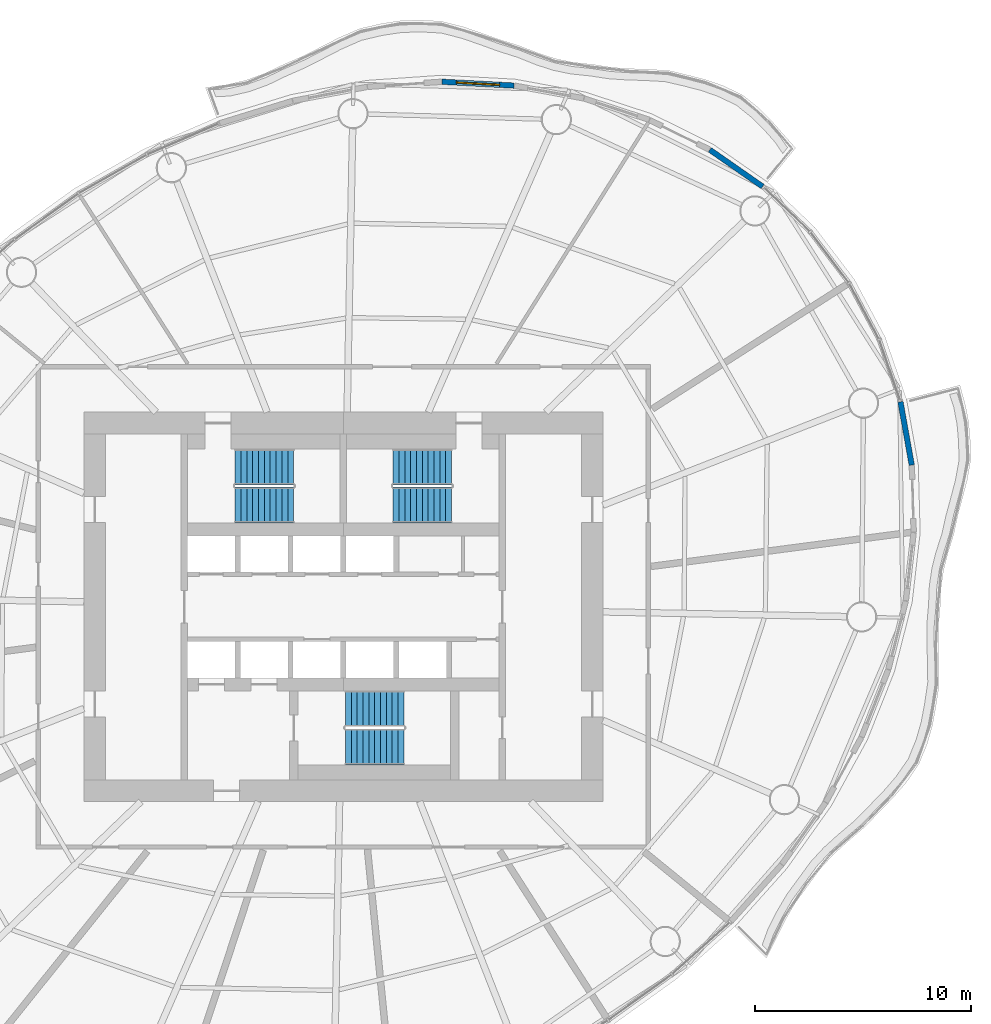
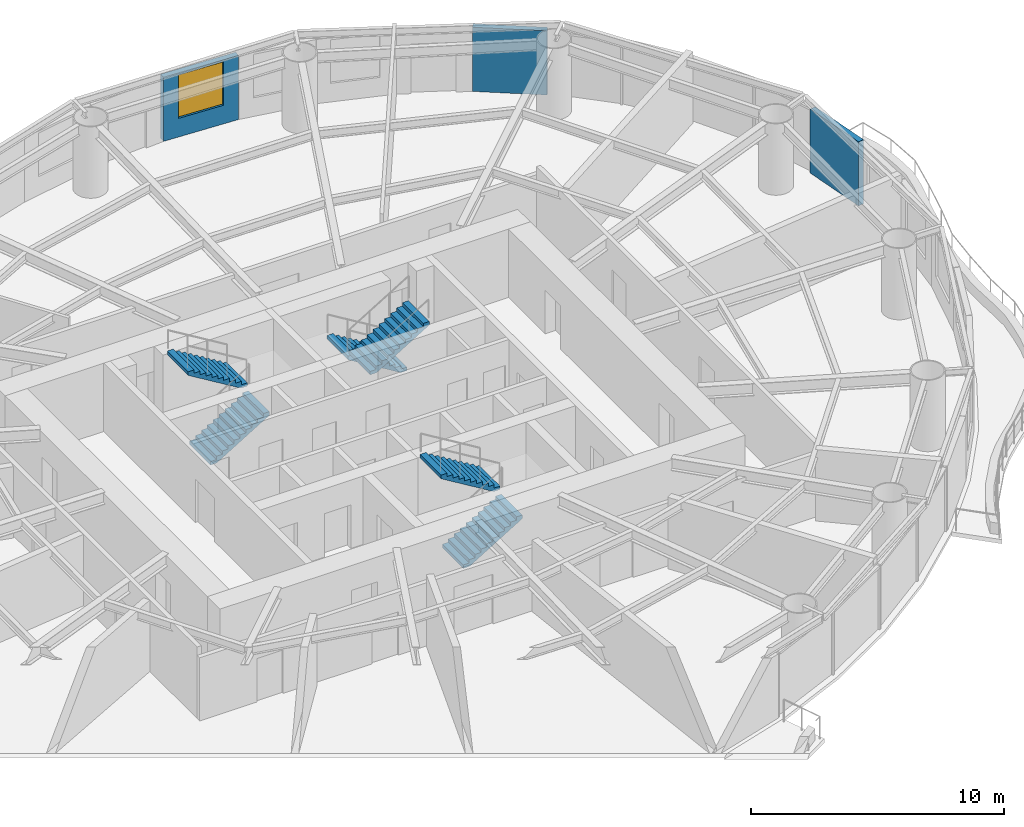
# One storey, part 11 of 14: 6 stair flights, 3 walls, 1 window, 1 opening, 3 elements without a shape of their own.
"""IFC4 building model written with IfcOpenShell, lengths in metres."""

import ifcopenshell
import ifcopenshell.guid

model = None  # the IFC model being written
_history = None  # IfcOwnerHistory: only IFC2X3 demands one
_inside = {}  # id of a spatial element -> (the spatial element, [elements in it])
_under = {}  # id of a project, library or spatial element -> (it, [spatial elements below it])
_declared = {}  # id of a project -> (the project, [libraries it declares])
_typed = {}  # id of a type object -> (the type object, [elements of that type])
_made_of = {}  # id of a material, layer set ... -> (it, [elements and type objects made of it])


def new_model(schema):
    """Start an empty IFC model of exactly this schema.

    Asked for "IFC4X3", IfcOpenShell would pick the latest addendum, in which some entities
    have other attributes; the version numbers below select the first issue.
    IFC2X3 requires an IfcOwnerHistory on every rooted entity: one is made here for all.
    """
    global model, _history
    if schema == "IFC4X3":
        model = ifcopenshell.file(schema_version=(4, 3, 0, 0))
    else:
        model = ifcopenshell.file(schema=schema)
    _inside.clear()
    _under.clear()
    _declared.clear()
    _typed.clear()
    _made_of.clear()
    _history = None
    if model.schema == "IFC2X3":
        org = make("IfcOrganization", Name="unknown")
        user = make(
            "IfcPersonAndOrganization",
            ThePerson=make("IfcPerson", FamilyName="unknown"),
            TheOrganization=org,
        )
        app = make(
            "IfcApplication",
            ApplicationDeveloper=org,
            Version="unknown",
            ApplicationFullName="unknown",
            ApplicationIdentifier="unknown",
        )
        _history = make(
            "IfcOwnerHistory",
            OwningUser=user,
            OwningApplication=app,
            ChangeAction="ADDED",
            CreationDate=0,
        )
    return model


def make(cls, **values):
    """One entity of the class cls with the attributes given. An attribute that is None is left unset."""
    return model.create_entity(
        cls, **{name: value for name, value in values.items() if value is not None}
    )


def rooted(cls, **values):
    """An entity with a GlobalId (a new one), such as an element, a storey or a relation."""
    return make(cls, GlobalId=ifcopenshell.guid.new(), OwnerHistory=_history, **values)


def si_unit(unit_type, name, prefix=None):
    """IfcSIUnit, for example si_unit("LENGTHUNIT", "METRE", prefix="MILLI")."""
    return make("IfcSIUnit", UnitType=unit_type, Prefix=prefix, Name=name)


def assignment(units):
    """IfcUnitAssignment: the units of a project."""
    return None if units is None else make("IfcUnitAssignment", Units=units)


def point(xyz):
    """IfcCartesianPoint."""
    return None if xyz is None else make("IfcCartesianPoint", Coordinates=xyz)


def direction(xyz):
    """IfcDirection."""
    return None if xyz is None else make("IfcDirection", DirectionRatios=xyz)


def frame(location, z_axis=None, x_axis=None):
    """IfcAxis2Placement3D, a coordinate frame: its origin and axes. An axis left out is left unset."""
    return make(
        "IfcAxis2Placement3D",
        Location=point(location),
        Axis=direction(z_axis),
        RefDirection=direction(x_axis),
    )


def frame_2d(location, x_axis=None):
    """IfcAxis2Placement2D, a coordinate frame in the plane: its origin and x axis."""
    return make(
        "IfcAxis2Placement2D", Location=point(location), RefDirection=direction(x_axis)
    )


def origin():
    """The frame at (0, 0, 0) with its axes left unset."""
    return frame((0.0, 0.0, 0.0))


def place(relative_to, where):
    """IfcLocalPlacement: puts the frame where relative to a parent placement (None: the world)."""
    return make(
        "IfcLocalPlacement", PlacementRelTo=relative_to, RelativePlacement=where
    )


def context(
    kind, dimensions, precision=None, world=None, true_north=None, identifier=None
):
    """IfcGeometricRepresentationContext, for example the 3D "Model" context."""
    return make(
        "IfcGeometricRepresentationContext",
        ContextIdentifier=identifier,
        ContextType=kind,
        CoordinateSpaceDimension=dimensions,
        Precision=precision,
        WorldCoordinateSystem=world,
        TrueNorth=true_north,
    )


def subcontext(parent, identifier, kind, view, scale=None):
    """IfcGeometricRepresentationSubContext, for example "Body" below "Model"."""
    return make(
        "IfcGeometricRepresentationSubContext",
        ContextIdentifier=identifier,
        ContextType=kind,
        ParentContext=parent,
        TargetScale=scale,
        TargetView=view,
    )


def project(units=None, contexts=None):
    """IfcProject with its units and contexts."""
    return rooted(
        "IfcProject",
        Name="project",
        RepresentationContexts=contexts,
        UnitsInContext=assignment(units),
    )


def spatial(cls, under=None, at=None, **own):
    """A site, building, storey or space (cls), placed at a placement, below another one or the project."""
    s = rooted(cls, ObjectPlacement=at, **own)
    if under is not None:
        _under.setdefault(under.id(), (under, []))[1].append(s)
    return s


def polyline(points):
    """IfcPolyline through the points."""
    return make("IfcPolyline", Points=[point(p) for p in points])


def profile(cls, at=None, kind="AREA", **sizes):
    """A parametric profile (cls). Its sizes go by their IFC names, for example OverallWidth=200.0."""
    return make(cls, ProfileType=kind, Position=at, **sizes)


def rectangle(**sizes):
    """IfcRectangleProfileDef."""
    return profile("IfcRectangleProfileDef", **sizes)


def outline(outer, holes=None, kind="AREA"):
    """IfcArbitraryClosedProfileDef: a profile drawn as a closed curve; with holes, ...WithVoids."""
    if holes is None:
        return make("IfcArbitraryClosedProfileDef", ProfileType=kind, OuterCurve=outer)
    return make(
        "IfcArbitraryProfileDefWithVoids",
        ProfileType=kind,
        OuterCurve=outer,
        InnerCurves=holes,
    )


def extrude(swept, where, along, depth):
    """IfcExtrudedAreaSolid: the profile swept, set in the frame where, extruded along a direction by depth."""
    return make(
        "IfcExtrudedAreaSolid",
        SweptArea=swept,
        Position=where,
        ExtrudedDirection=direction(along),
        Depth=depth,
    )


def shape(context_of_items, identifier, shape_type, items):
    """IfcShapeRepresentation: the items that make up one representation, for example the "Body"."""
    return make(
        "IfcShapeRepresentation",
        ContextOfItems=context_of_items,
        RepresentationIdentifier=identifier,
        RepresentationType=shape_type,
        Items=items,
    )


def material(Name=None, Category=None):
    """IfcMaterial."""
    return make("IfcMaterial", Name=Name, Category=Category)


def layer(
    of_material, thickness, ventilated=None, Name=None, Category=None, Priority=None
):
    """IfcMaterialLayer: one layer of a wall or slab, of a material (None: an air gap)."""
    return make(
        "IfcMaterialLayer",
        Material=of_material,
        LayerThickness=thickness,
        IsVentilated=ventilated,
        Name=Name,
        Category=Category,
        Priority=Priority,
    )


def layer_set(layers, Name=None):
    """IfcMaterialLayerSet."""
    return make("IfcMaterialLayerSet", MaterialLayers=layers, LayerSetName=Name)


def made_of(thing, what):
    """Note that an element or type object is made of a material, layer set ...; save() writes the relation."""
    if what is not None:
        _made_of.setdefault(what.id(), (what, []))[1].append(thing)
    return thing


def type_object(cls, material=None, **own):
    """A type object (cls), such as IfcWallType, which elements share."""
    return made_of(rooted(cls, **own), material)


def element(
    cls,
    number,
    at=None,
    inside=None,
    cuts=None,
    type_object=None,
    material=None,
    context=None,
    identifier="Body",
    shape_type=None,
    held_by="IfcProductDefinitionShape",
    body=None,
    shapes=None,
    **own,
):
    """One element of the class cls, such as IfcWall. Its Tag is "e" and its number.

    at: its placement. inside: the storey or other place that contains it. cuts: it is an
    opening in that element (IfcRelVoidsElement). A single representation is given by context,
    identifier, shape_type and body (its items); several are given by shapes. held_by: the class
    of the entity that holds the representations. save() writes the other relations.
    """
    e = rooted(cls, Tag="e%d" % number, ObjectPlacement=at, **own)
    if body is not None:
        shapes = [shape(context, identifier, shape_type, body)]
    if shapes is not None:
        e.Representation = make(held_by, Representations=shapes)
    if inside is not None:
        _inside.setdefault(inside.id(), (inside, []))[1].append(e)
    if cuts is not None:
        rooted(
            "IfcRelVoidsElement", RelatingBuildingElement=cuts, RelatedOpeningElement=e
        )
    if type_object is not None:
        _typed.setdefault(type_object.id(), (type_object, []))[1].append(e)
    return made_of(e, material)


def fill(opening, filler):
    """IfcRelFillsElement: the door or window that sits in an opening."""
    return rooted(
        "IfcRelFillsElement",
        RelatingOpeningElement=opening,
        RelatedBuildingElement=filler,
    )


def aggregate(whole, parts):
    """IfcRelAggregates: a whole, such as a stair, and the parts it consists of."""
    return rooted("IfcRelAggregates", RelatingObject=whole, RelatedObjects=parts)


def save(model, path):
    """Write the relations noted so far, then the file.

    IfcRelAggregates (storeys below a building ...), IfcRelContainedInSpatialStructure (elements
    in a storey), IfcRelDefinesByType, IfcRelAssociatesMaterial and IfcRelDeclares: one each for
    every whole, place, type object, material and project.
    """
    for whole, parts in _under.values():
        aggregate(whole, parts)
    for where, things in _inside.values():
        rooted(
            "IfcRelContainedInSpatialStructure",
            RelatedElements=things,
            RelatingStructure=where,
        )
    for kind, things in _typed.values():
        rooted("IfcRelDefinesByType", RelatedObjects=things, RelatingType=kind)
    for what, things in _made_of.values():
        rooted("IfcRelAssociatesMaterial", RelatedObjects=things, RelatingMaterial=what)
    for by, libraries in _declared.values():
        rooted("IfcRelDeclares", RelatingContext=by, RelatedDefinitions=libraries)
    model.write(path)


model = new_model("IFC4")

# Units and contexts
model_context = context("Model", 3, precision=1e-05, world=origin(), true_north=direction((0.0, 1.0)))
body_context = subcontext(model_context, "Body", "Model", "MODEL_VIEW")
ifc_project = project(units=[si_unit("LENGTHUNIT", "METRE"), si_unit("AREAUNIT", "SQUARE_METRE"), si_unit("VOLUMEUNIT", "CUBIC_METRE"), si_unit("PLANEANGLEUNIT", "RADIAN"), si_unit("MASSUNIT", "GRAM", prefix="KILO")], contexts=[model_context])

# Site, building, storey
site_placement = place(None, origin())
site = spatial("IfcSite", under=ifc_project, at=site_placement, CompositionType="ELEMENT")
building_placement = place(site_placement, origin())
building = spatial("IfcBuilding", under=site, at=building_placement, Name="Vermilion Reach Broadcast Tower", CompositionType="ELEMENT")
storey_placement = place(building_placement, frame((0.0, 0.0, 165.0)))
storey = spatial("IfcBuildingStorey", under=building, at=storey_placement, Name="L39", CompositionType="ELEMENT", Elevation=165.0)

# Wall
ifc_material_1 = material(Name="Terracotta rainscreen cladding", Category="masonry")
ifc_layer = layer(ifc_material_1, 0.25)
ifc_layer_set = layer_set([ifc_layer], Name="Terracotta rainscreen wall 250")
wall_type = type_object("IfcWallType", Name="Terracotta rainscreen wall 250", PredefinedType="SOLIDWALL", material=ifc_layer_set)
wall_1_placement = place(storey_placement, frame((13.378173828125, 19.4287109375, 0.0), z_axis=(0.0, 0.0, 1.0), x_axis=(-0.820566469183, 0.571551108521, 0.0)))
element("IfcWall", 1, at=wall_1_placement, inside=storey, type_object=wall_type, Name="External wall L39 02", PredefinedType="SOLIDWALL", context=body_context, shape_type="SweptSolid", body=[
    extrude(rectangle(XDim=2.96875, YDim=0.25, at=frame_2d((1.484375, 0.0))), origin(), (0.0, 0.0, 1.0), 3.10009765625),
])

# Wall, opening, window
wall_2_placement = place(storey_placement, frame((1.891357421875, 24.094970703125, 0.0), z_axis=(0.0, 0.0, 1.0), x_axis=(-0.998572595535, 0.053411341936, 0.0)))
wall_2 = element("IfcWall", 2, at=wall_2_placement, inside=storey, type_object=wall_type, Name="External wall L39 06", PredefinedType="SOLIDWALL", context=body_context, shape_type="SweptSolid", body=[
    extrude(rectangle(XDim=3.3369140625, YDim=0.25, at=frame_2d((1.66845703125, 0.0))), origin(), (0.0, 0.0, 1.0), 3.10009765625),
])
opening_placement = place(wall_2_placement, frame((0.66845703125, 0.0, 0.89990234375)))
opening = element("IfcOpeningElement", 3, at=opening_placement, cuts=wall_2, Name="Opening W03", PredefinedType="OPENING", context=body_context, shape_type="SweptSolid", body=[
    extrude(rectangle(XDim=2.0, YDim=2.10009765625, at=frame_2d((1.0, 1.050048828125))), frame((0.0, 0.135009765625, 0.0), z_axis=(0.0, -1.0, 0.0), x_axis=(1.0, 0.0, 0.0)), (0.0, 0.0, 1.0), 0.27001953125),
])
ifc_material_2 = material(Name="Low-e laminated clear glass in aluminium frame", Category="aluminium")
window_type = type_object("IfcWindowType", Name="Punched window 2000 x 2100 sill 900", PartitioningType="SINGLE_PANEL", PredefinedType="WINDOW", material=ifc_material_2)
window_placement = place(opening_placement, origin())
window = element("IfcWindow", 4, at=window_placement, inside=storey, type_object=window_type, Name="Window L39 06", OverallHeight=2.10009765625, OverallWidth=2.0, PartitioningType="SINGLE_PANEL", PredefinedType="WINDOW", context=body_context, shape_type="SweptSolid", body=[
    extrude(rectangle(XDim=2.0, YDim=2.10009765625, at=frame_2d((1.0, 1.050048828125))), frame((0.0, 0.030029296875, 0.0), z_axis=(0.0, -1.0, 0.0), x_axis=(1.0, 0.0, 0.0)), (0.0, 0.0, 1.0), 0.06005859375),
])
fill(opening, window)

# Wall
wall_3_placement = place(storey_placement, frame((20.274658203125, 6.55517578125, 0.0), z_axis=(0.0, 0.0, 1.0), x_axis=(-0.176055314448, 0.984380275226, 0.0)))
element("IfcWall", 5, at=wall_3_placement, inside=storey, type_object=wall_type, Name="External wall L39 45", PredefinedType="SOLIDWALL", context=body_context, shape_type="SweptSolid", body=[
    extrude(rectangle(XDim=2.968994140625, YDim=0.25, at=frame_2d((1.484375, 0.0))), origin(), (0.0, 0.0, 1.0), 3.10009765625),
])

# Stair, stair flights
ifc_material_3 = material(Name="Concrete C40", Category="concrete")
stair_type = type_object("IfcStairType", Name="Exit stair RC 22 risers 164 mm", PredefinedType="HALF_TURN_STAIR", material=ifc_material_3)
placement = place(storey_placement, origin())
stair_1 = element("IfcStair", 6, at=placement, inside=storey, type_object=stair_type, Name="L39 Exit stair ST1", PredefinedType="HALF_TURN_STAIR")
ifc_material_4 = material(Name="Concrete C40", Category="concrete")
stair_flight_type = type_object("IfcStairFlightType", Name="Exit stair flight RC 11 risers", PredefinedType="STRAIGHT", material=ifc_material_4)
stair_flight_1_placement = place(storey_placement, frame((-11.0, 4.7099609375, 0.0), z_axis=(0.0, 0.0, 1.0), x_axis=(1.0, 0.0, 0.0)))
stair_flight_1 = element("IfcStairFlight", 7, at=stair_flight_1_placement, type_object=stair_flight_type, Name="ST1 flight 1", NumberOfRisers=11, NumberOfTreads=10, PredefinedType="STRAIGHT", RiserHeight=0.163636364, TreadLength=0.27, context=body_context, shape_type="SweptSolid", body=[
    extrude(outline(polyline([(0.0, 0.0), (0.0, 0.16357421875), (0.27001953125, 0.16357421875), (0.27001953125, 0.327392578125), (0.5400390625, 0.327392578125), (0.5400390625, 0.490966796875), (0.81005859375, 0.490966796875), (0.81005859375, 0.654541015625), (1.080078125, 0.654541015625), (1.080078125, 0.818115234375), (1.35009765625, 0.818115234375), (1.35009765625, 0.98193359375), (1.6201171875, 0.98193359375), (1.6201171875, 1.1455078125), (1.889892578125, 1.1455078125), (1.889892578125, 1.30908203125), (2.159912109375, 1.30908203125), (2.159912109375, 1.47265625), (2.429931640625, 1.47265625), (2.429931640625, 1.636474609375), (2.699951171875, 1.636474609375), (2.699951171875, 1.800048828125), (2.699951171875, 1.461181640625), (0.289306640625, 0.0), (0.0, 0.0)])), frame((0.0, 0.830078125, 0.0), z_axis=(0.0, -1.0, 0.0), x_axis=(1.0, 0.0, 0.0)), (0.0, 0.0, 1.0), 1.659912109375),
])
stair_flight_2_placement = place(storey_placement, frame((-8.300048828125, 6.469970703125, 1.800048828125), z_axis=(0.0, 0.0, 1.0), x_axis=(-1.0, 0.0, 0.0)))
stair_flight_2 = element("IfcStairFlight", 8, at=stair_flight_2_placement, type_object=stair_flight_type, Name="ST1 flight 2", NumberOfRisers=11, NumberOfTreads=10, PredefinedType="STRAIGHT", RiserHeight=0.163636364, TreadLength=0.27, context=body_context, shape_type="SweptSolid", body=[
    extrude(outline(polyline([(0.0, 0.0), (0.0, 0.16357421875), (0.27001953125, 0.16357421875), (0.27001953125, 0.327392578125), (0.5400390625, 0.327392578125), (0.5400390625, 0.490966796875), (0.81005859375, 0.490966796875), (0.81005859375, 0.654541015625), (1.080078125, 0.654541015625), (1.080078125, 0.818115234375), (1.35009765625, 0.818115234375), (1.35009765625, 0.98193359375), (1.6201171875, 0.98193359375), (1.6201171875, 1.1455078125), (1.889892578125, 1.1455078125), (1.889892578125, 1.30908203125), (2.159912109375, 1.30908203125), (2.159912109375, 1.47265625), (2.429931640625, 1.47265625), (2.429931640625, 1.636474609375), (2.699951171875, 1.636474609375), (2.699951171875, 1.800048828125), (2.699951171875, 1.461181640625), (0.289306640625, 0.0), (0.0, 0.0)])), frame((0.0, 0.830078125, 0.0), z_axis=(0.0, -1.0, 0.0), x_axis=(1.0, 0.0, 0.0)), (0.0, 0.0, 1.0), 1.659912109375),
])
aggregate(stair_1, [stair_flight_1, stair_flight_2])

stair_2 = element("IfcStair", 9, at=placement, inside=storey, type_object=stair_type, Name="L39 Exit stair ST2", PredefinedType="HALF_TURN_STAIR")
stair_flight_3_placement = place(storey_placement, frame((-1.0, 6.469970703125, 0.0), z_axis=(0.0, 0.0, 1.0), x_axis=(-1.0, 0.0, 0.0)))
stair_flight_3 = element("IfcStairFlight", 10, at=stair_flight_3_placement, type_object=stair_flight_type, Name="ST2 flight 1", NumberOfRisers=11, NumberOfTreads=10, PredefinedType="STRAIGHT", RiserHeight=0.163636364, TreadLength=0.27, context=body_context, shape_type="SweptSolid", body=[
    extrude(outline(polyline([(0.0, 0.0), (0.0, 0.16357421875), (0.27001953125, 0.16357421875), (0.27001953125, 0.327392578125), (0.5400390625, 0.327392578125), (0.5400390625, 0.490966796875), (0.81005859375, 0.490966796875), (0.81005859375, 0.654541015625), (1.080078125, 0.654541015625), (1.080078125, 0.818115234375), (1.35009765625, 0.818115234375), (1.35009765625, 0.98193359375), (1.6201171875, 0.98193359375), (1.6201171875, 1.1455078125), (1.889892578125, 1.1455078125), (1.889892578125, 1.30908203125), (2.159912109375, 1.30908203125), (2.159912109375, 1.47265625), (2.429931640625, 1.47265625), (2.429931640625, 1.636474609375), (2.699951171875, 1.636474609375), (2.699951171875, 1.800048828125), (2.699951171875, 1.461181640625), (0.289306640625, 0.0), (0.0, 0.0)])), frame((0.0, 0.830078125, 0.0), z_axis=(0.0, -1.0, 0.0), x_axis=(1.0, 0.0, 0.0)), (0.0, 0.0, 1.0), 1.659912109375),
])
stair_flight_4_placement = place(storey_placement, frame((-3.699951171875, 4.7099609375, 1.800048828125), z_axis=(0.0, 0.0, 1.0), x_axis=(1.0, 0.0, 0.0)))
stair_flight_4 = element("IfcStairFlight", 11, at=stair_flight_4_placement, type_object=stair_flight_type, Name="ST2 flight 2", NumberOfRisers=11, NumberOfTreads=10, PredefinedType="STRAIGHT", RiserHeight=0.163636364, TreadLength=0.27, context=body_context, shape_type="SweptSolid", body=[
    extrude(outline(polyline([(0.0, 0.0), (0.0, 0.16357421875), (0.27001953125, 0.16357421875), (0.27001953125, 0.327392578125), (0.5400390625, 0.327392578125), (0.5400390625, 0.490966796875), (0.81005859375, 0.490966796875), (0.81005859375, 0.654541015625), (1.080078125, 0.654541015625), (1.080078125, 0.818115234375), (1.35009765625, 0.818115234375), (1.35009765625, 0.98193359375), (1.6201171875, 0.98193359375), (1.6201171875, 1.1455078125), (1.889892578125, 1.1455078125), (1.889892578125, 1.30908203125), (2.159912109375, 1.30908203125), (2.159912109375, 1.47265625), (2.429931640625, 1.47265625), (2.429931640625, 1.636474609375), (2.699951171875, 1.636474609375), (2.699951171875, 1.800048828125), (2.699951171875, 1.461181640625), (0.289306640625, 0.0), (0.0, 0.0)])), frame((0.0, 0.830078125, 0.0), z_axis=(0.0, -1.0, 0.0), x_axis=(1.0, 0.0, 0.0)), (0.0, 0.0, 1.0), 1.659912109375),
])
aggregate(stair_2, [stair_flight_3, stair_flight_4])

stair_3 = element("IfcStair", 12, at=placement, inside=storey, type_object=stair_type, Name="L39 Exit stair ST3", PredefinedType="HALF_TURN_STAIR")
stair_flight_5_placement = place(storey_placement, frame((-5.89990234375, -6.469970703125, 0.0), z_axis=(0.0, 0.0, 1.0), x_axis=(1.0, 0.0, 0.0)))
stair_flight_5 = element("IfcStairFlight", 13, at=stair_flight_5_placement, type_object=stair_flight_type, Name="ST3 flight 1", NumberOfRisers=11, NumberOfTreads=10, PredefinedType="STRAIGHT", RiserHeight=0.163636364, TreadLength=0.27, context=body_context, shape_type="SweptSolid", body=[
    extrude(outline(polyline([(0.0, 0.0), (0.0, 0.16357421875), (0.27001953125, 0.16357421875), (0.27001953125, 0.327392578125), (0.5400390625, 0.327392578125), (0.5400390625, 0.490966796875), (0.81005859375, 0.490966796875), (0.81005859375, 0.654541015625), (1.080078125, 0.654541015625), (1.080078125, 0.818115234375), (1.35009765625, 0.818115234375), (1.35009765625, 0.98193359375), (1.6201171875, 0.98193359375), (1.6201171875, 1.1455078125), (1.889892578125, 1.1455078125), (1.889892578125, 1.30908203125), (2.159912109375, 1.30908203125), (2.159912109375, 1.47265625), (2.429931640625, 1.47265625), (2.429931640625, 1.636474609375), (2.699951171875, 1.636474609375), (2.699951171875, 1.800048828125), (2.699951171875, 1.461181640625), (0.289306640625, 0.0), (0.0, 0.0)])), frame((0.0, 0.830078125, 0.0), z_axis=(0.0, -1.0, 0.0), x_axis=(1.0, 0.0, 0.0)), (0.0, 0.0, 1.0), 1.659912109375),
])
stair_flight_6_placement = place(storey_placement, frame((-3.199951171875, -4.7099609375, 1.800048828125), z_axis=(0.0, 0.0, 1.0), x_axis=(-1.0, 0.0, 0.0)))
stair_flight_6 = element("IfcStairFlight", 14, at=stair_flight_6_placement, type_object=stair_flight_type, Name="ST3 flight 2", NumberOfRisers=11, NumberOfTreads=10, PredefinedType="STRAIGHT", RiserHeight=0.163636364, TreadLength=0.27, context=body_context, shape_type="SweptSolid", body=[
    extrude(outline(polyline([(0.0, 0.0), (0.0, 0.16357421875), (0.27001953125, 0.16357421875), (0.27001953125, 0.327392578125), (0.5400390625, 0.327392578125), (0.5400390625, 0.490966796875), (0.81005859375, 0.490966796875), (0.81005859375, 0.654541015625), (1.080078125, 0.654541015625), (1.080078125, 0.818115234375), (1.35009765625, 0.818115234375), (1.35009765625, 0.98193359375), (1.6201171875, 0.98193359375), (1.6201171875, 1.1455078125), (1.889892578125, 1.1455078125), (1.889892578125, 1.30908203125), (2.159912109375, 1.30908203125), (2.159912109375, 1.47265625), (2.429931640625, 1.47265625), (2.429931640625, 1.636474609375), (2.699951171875, 1.636474609375), (2.699951171875, 1.800048828125), (2.699951171875, 1.461181640625), (0.289306640625, 0.0), (0.0, 0.0)])), frame((0.0, 0.830078125, 0.0), z_axis=(0.0, -1.0, 0.0), x_axis=(1.0, 0.0, 0.0)), (0.0, 0.0, 1.0), 1.659912109375),
])
aggregate(stair_3, [stair_flight_5, stair_flight_6])

save(model, "model.ifc")
